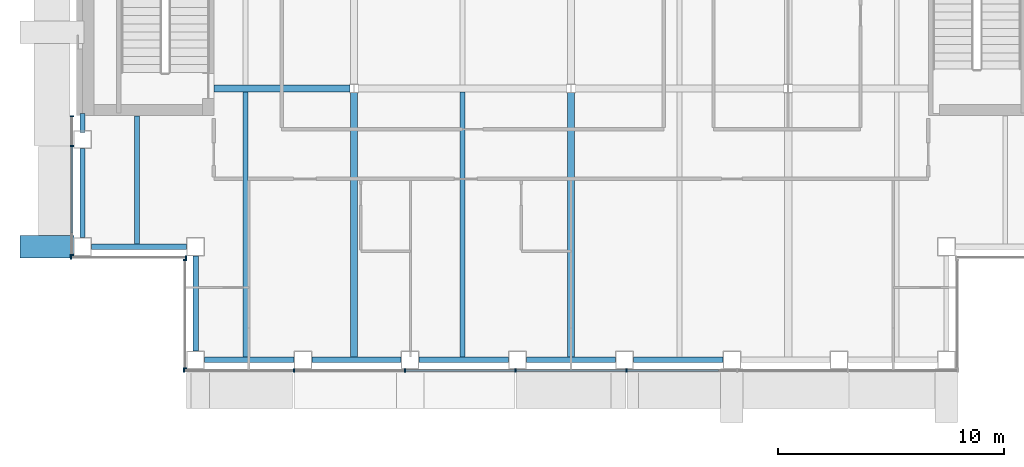
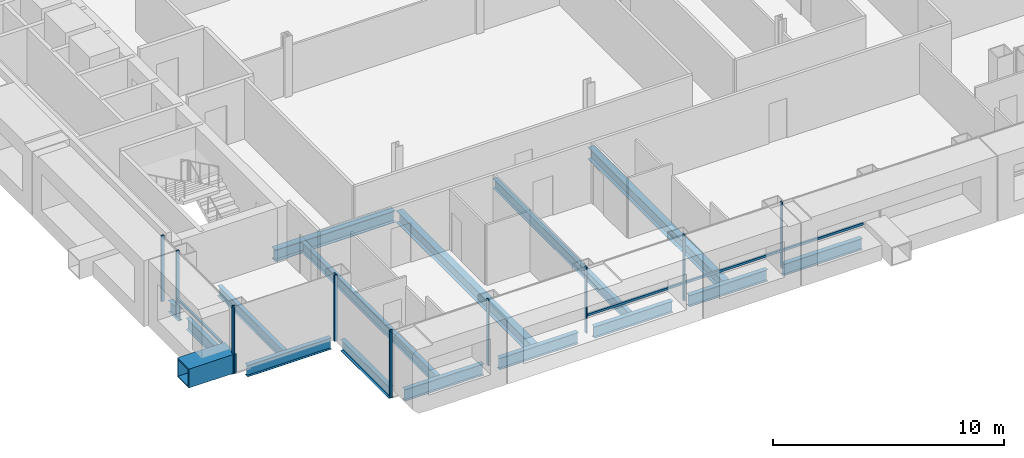
# One storey, part 3 of 21: 16 beams, 16 members, 4 elements without a shape of their own.
"""IFC4 building model written with IfcOpenShell, lengths in metres."""

from ifc_helpers import new_model, si_unit, direction, frame, origin, origin_2d, place, context, subcontext, project, spatial, rectangle, hollow_rectangle, i_section, extrude, material, material_profile, profile_set, type_object, element, aggregate, save


model = new_model("IFC4")

# Units and contexts
model_context = context("Model", 3, precision=1e-05, world=origin(), true_north=direction((0.0, 1.0)))
body_context = subcontext(model_context, "Body", "Model", "MODEL_VIEW")
ifc_project = project(units=[si_unit("LENGTHUNIT", "METRE"), si_unit("AREAUNIT", "SQUARE_METRE"), si_unit("VOLUMEUNIT", "CUBIC_METRE"), si_unit("PLANEANGLEUNIT", "RADIAN"), si_unit("MASSUNIT", "GRAM", prefix="KILO")], contexts=[model_context])

# Site, building, storey
site_placement = place(None, origin())
site = spatial("IfcSite", under=ifc_project, at=site_placement, CompositionType="ELEMENT")
building_placement = place(site_placement, origin())
building = spatial("IfcBuilding", under=site, at=building_placement, Name="Cobrizo Arcos Hotel Tower", CompositionType="ELEMENT")
storey_placement = place(building_placement, frame((0.0, 0.0, 183.0)))
storey = spatial("IfcBuildingStorey", under=building, at=storey_placement, Name="L47", CompositionType="ELEMENT", Elevation=183.0)

# Beam
ifc_material_1 = material(Name="Steel ASTM A572 Grade 50", Category="steel")
ifc_material_profile_1 = material_profile(ifc_material_1, hollow_rectangle(XDim=1.0, YDim=1.0, WallThickness=0.06005859375, at=origin_2d()), Name="BOX 1000X1000X60")
ifc_profile_set_1 = profile_set([ifc_material_profile_1], Name="Steel ASTM A572 Grade 50")
beam_type_1 = type_object("IfcBeamType", Name="BOX 1000X1000X60 brace connector strut", PredefinedType="BEAM", material=ifc_profile_set_1)
beam_1_placement = place(storey_placement, frame((-21.989990234375, -16.60009765625, 0.5), z_axis=(-1.0, 0.0, 0.0), x_axis=(0.0, -1.0, 0.0)))
element("IfcBeam", 1, at=beam_1_placement, inside=storey, type_object=beam_type_1, Name="Perimeter brace stub BS1, zone Z3, west face, offset -16.60 m, L47", PredefinedType="BEAM", context=body_context, shape_type="SweptSolid", body=[
    extrude(hollow_rectangle(XDim=1.0, YDim=1.0, WallThickness=0.06005859375, at=origin_2d()), origin(), (0.0, 0.0, 1.0), 2.380126953125),
])

# Curtain wall, members
ifc_material_2 = material(Name="Aluminium 6063-T6 anodised bronze", Category="aluminium")
curtain_wall_type = type_object("IfcCurtainWallType", Name="CW-A guest facade", PredefinedType="NOTDEFINED", material=ifc_material_2)
curtain_wall_1_placement = place(storey_placement, origin())
curtain_wall_1 = element("IfcCurtainWall", 2, at=curtain_wall_1_placement, inside=storey, type_object=curtain_wall_type, Name="CW-A L47 S face", PredefinedType="NOTDEFINED")
ifc_material_profile_2 = material_profile(ifc_material_2, rectangle(XDim=0.14990234375, YDim=0.06005859375, at=origin_2d()), Name="CW-A mullion 150x60")
ifc_profile_set_2 = profile_set([ifc_material_profile_2], Name="Aluminium 6063-T6 anodised bronze")
member_type_1 = type_object("IfcMemberType", Name="CW-A mullion 150x60", PredefinedType="MULLION", material=ifc_profile_set_2)
member_1_placement = place(storey_placement, frame((-17.1201171875, -22.074951171875, 0.0), z_axis=(0.0, 0.0, 1.0), x_axis=(0.0, -1.0, 0.0)))
member_1 = element("IfcMember", 3, at=member_1_placement, type_object=member_type_1, Name="CW-A mullion 1", PredefinedType="MULLION", context=body_context, shape_type="SweptSolid", body=[
    extrude(rectangle(XDim=0.14990234375, YDim=0.06005859375, at=origin_2d()), origin(), (0.0, 0.0, 1.0), 3.5),
])
member_2_placement = place(storey_placement, frame((-12.25, -22.074951171875, 0.0), z_axis=(0.0, 0.0, 1.0), x_axis=(0.0, -1.0, 0.0)))
member_2 = element("IfcMember", 4, at=member_2_placement, type_object=member_type_1, Name="CW-A mullion 2", PredefinedType="MULLION", context=body_context, shape_type="SweptSolid", body=[
    extrude(rectangle(XDim=0.14990234375, YDim=0.06005859375, at=origin_2d()), origin(), (0.0, 0.0, 1.0), 3.5),
])
member_3_placement = place(storey_placement, frame((-7.35009765625, -22.074951171875, 0.0), z_axis=(0.0, 0.0, 1.0), x_axis=(0.0, -1.0, 0.0)))
member_3 = element("IfcMember", 5, at=member_3_placement, type_object=member_type_1, Name="CW-A mullion 3", PredefinedType="MULLION", context=body_context, shape_type="SweptSolid", body=[
    extrude(rectangle(XDim=0.14990234375, YDim=0.06005859375, at=origin_2d()), origin(), (0.0, 0.0, 1.0), 3.5),
])
member_4_placement = place(storey_placement, frame((-2.449951171875, -22.074951171875, 0.0), z_axis=(0.0, 0.0, 1.0), x_axis=(0.0, -1.0, 0.0)))
member_4 = element("IfcMember", 6, at=member_4_placement, type_object=member_type_1, Name="CW-A mullion 4", PredefinedType="MULLION", context=body_context, shape_type="SweptSolid", body=[
    extrude(rectangle(XDim=0.14990234375, YDim=0.06005859375, at=origin_2d()), origin(), (0.0, 0.0, 1.0), 3.5),
])
member_5_placement = place(storey_placement, frame((2.449951171875, -22.074951171875, 0.0), z_axis=(0.0, 0.0, 1.0), x_axis=(0.0, -1.0, 0.0)))
member_5 = element("IfcMember", 7, at=member_5_placement, type_object=member_type_1, Name="CW-A mullion 5", PredefinedType="MULLION", context=body_context, shape_type="SweptSolid", body=[
    extrude(rectangle(XDim=0.14990234375, YDim=0.06005859375, at=origin_2d()), origin(), (0.0, 0.0, 1.0), 3.5),
])

curtain_wall_2_placement = place(storey_placement, origin())
curtain_wall_2 = element("IfcCurtainWall", 8, at=curtain_wall_2_placement, inside=storey, type_object=curtain_wall_type, Name="CW-A L47 W face", PredefinedType="NOTDEFINED")
member_6_placement = place(storey_placement, frame((-22.074951171875, -10.830078125, 0.0), z_axis=(0.0, 0.0, 1.0), x_axis=(-1.0, 0.0, 0.0)))
member_6 = element("IfcMember", 9, at=member_6_placement, type_object=member_type_1, Name="CW-A mullion 1", PredefinedType="MULLION", context=body_context, shape_type="SweptSolid", body=[
    extrude(rectangle(XDim=0.14990234375, YDim=0.06005859375, at=origin_2d()), origin(), (0.0, 0.0, 1.0), 3.5),
])
member_7_placement = place(storey_placement, frame((-22.074951171875, -12.142822265625, 0.0), z_axis=(0.0, 0.0, 1.0), x_axis=(-1.0, 0.0, 0.0)))
member_7 = element("IfcMember", 10, at=member_7_placement, type_object=member_type_1, Name="CW-A mullion 2", PredefinedType="MULLION", context=body_context, shape_type="SweptSolid", body=[
    extrude(rectangle(XDim=0.14990234375, YDim=0.06005859375, at=origin_2d()), origin(), (0.0, 0.0, 1.0), 3.5),
])
member_8_placement = place(storey_placement, frame((-22.074951171875, -16.969970703125, 0.0), z_axis=(0.0, 0.0, 1.0), x_axis=(-1.0, 0.0, 0.0)))
member_8 = element("IfcMember", 11, at=member_8_placement, type_object=member_type_1, Name="CW-A mullion 3", PredefinedType="MULLION", context=body_context, shape_type="SweptSolid", body=[
    extrude(rectangle(XDim=0.14990234375, YDim=0.06005859375, at=origin_2d()), origin(), (0.0, 0.0, 1.0), 3.5),
])

curtain_wall_3_placement = place(storey_placement, origin())
curtain_wall_3 = element("IfcCurtainWall", 12, at=curtain_wall_3_placement, inside=storey, type_object=curtain_wall_type, Name="CW-A L47 S face", PredefinedType="NOTDEFINED")
member_9_placement = place(storey_placement, frame((-22.1201171875, -17.074951171875, 0.0), z_axis=(0.0, 0.0, 1.0), x_axis=(0.0, -1.0, 0.0)))
member_9 = element("IfcMember", 13, at=member_9_placement, type_object=member_type_1, Name="CW-A mullion 1", PredefinedType="MULLION", context=body_context, shape_type="SweptSolid", body=[
    extrude(rectangle(XDim=0.14990234375, YDim=0.06005859375, at=origin_2d()), origin(), (0.0, 0.0, 1.0), 3.5),
])
member_10_placement = place(storey_placement, frame((-17.030029296875, -17.074951171875, 0.0), z_axis=(0.0, 0.0, 1.0), x_axis=(0.0, -1.0, 0.0)))
member_10 = element("IfcMember", 14, at=member_10_placement, type_object=member_type_1, Name="CW-A mullion 2", PredefinedType="MULLION", context=body_context, shape_type="SweptSolid", body=[
    extrude(rectangle(XDim=0.14990234375, YDim=0.06005859375, at=origin_2d()), origin(), (0.0, 0.0, 1.0), 3.5),
])
aggregate(curtain_wall_3, [member_9, member_10])

curtain_wall_4_placement = place(storey_placement, origin())
curtain_wall_4 = element("IfcCurtainWall", 15, at=curtain_wall_4_placement, inside=storey, type_object=curtain_wall_type, Name="CW-A L47 W face", PredefinedType="NOTDEFINED")
member_11_placement = place(storey_placement, frame((-17.074951171875, -17.179931640625, 0.0), z_axis=(0.0, 0.0, 1.0), x_axis=(-1.0, 0.0, 0.0)))
member_11 = element("IfcMember", 16, at=member_11_placement, type_object=member_type_1, Name="CW-A mullion 1", PredefinedType="MULLION", context=body_context, shape_type="SweptSolid", body=[
    extrude(rectangle(XDim=0.14990234375, YDim=0.06005859375, at=origin_2d()), origin(), (0.0, 0.0, 1.0), 3.5),
])
member_12_placement = place(storey_placement, frame((-17.074951171875, -21.969970703125, 0.0), z_axis=(0.0, 0.0, 1.0), x_axis=(-1.0, 0.0, 0.0)))
member_12 = element("IfcMember", 17, at=member_12_placement, type_object=member_type_1, Name="CW-A mullion 2", PredefinedType="MULLION", context=body_context, shape_type="SweptSolid", body=[
    extrude(rectangle(XDim=0.14990234375, YDim=0.06005859375, at=origin_2d()), origin(), (0.0, 0.0, 1.0), 3.5),
])
aggregate(curtain_wall_4, [member_11, member_12])

# Member
ifc_material_profile_3 = material_profile(ifc_material_2, rectangle(XDim=0.10009765625, YDim=0.1201171875, at=origin_2d()), Name="CW-A transom 120x100")
ifc_profile_set_3 = profile_set([ifc_material_profile_3], Name="Aluminium 6063-T6 anodised bronze")
member_type_2 = type_object("IfcMemberType", Name="CW-A transom 120x100", PredefinedType="USERDEFINED", material=ifc_profile_set_3)
member_13_placement = place(storey_placement, frame((-7.320068359375, -22.074951171875, 0.929931640625), z_axis=(1.0, 0.0, 0.0), x_axis=(0.0, 1.0, 0.0)))
member_13 = element("IfcMember", 18, at=member_13_placement, type_object=member_type_2, Name="CW-A transom 1638", ObjectType="TRANSOM", PredefinedType="USERDEFINED", context=body_context, shape_type="SweptSolid", body=[
    extrude(rectangle(XDim=0.10009765625, YDim=0.1201171875, at=origin_2d()), origin(), (0.0, 0.0, 1.0), 4.840087890625),
])

member_14_placement = place(storey_placement, frame((-2.419921875, -22.074951171875, 0.929931640625), z_axis=(1.0, 0.0, 0.0), x_axis=(0.0, 1.0, 0.0)))
member_14 = element("IfcMember", 19, at=member_14_placement, type_object=member_type_2, Name="CW-A transom 1639", ObjectType="TRANSOM", PredefinedType="USERDEFINED", context=body_context, shape_type="SweptSolid", body=[
    extrude(rectangle(XDim=0.10009765625, YDim=0.1201171875, at=origin_2d()), origin(), (0.0, 0.0, 1.0), 4.83984375),
])

member_15_placement = place(storey_placement, frame((2.47998046875, -22.074951171875, 0.929931640625), z_axis=(1.0, 0.0, 0.0), x_axis=(0.0, 1.0, 0.0)))
member_15 = element("IfcMember", 20, at=member_15_placement, type_object=member_type_2, Name="CW-A transom 1640", ObjectType="TRANSOM", PredefinedType="USERDEFINED", context=body_context, shape_type="SweptSolid", body=[
    extrude(rectangle(XDim=0.10009765625, YDim=0.1201171875, at=origin_2d()), origin(), (0.0, 0.0, 1.0), 4.034423828125),
])

aggregate(curtain_wall_1, [member_1, member_2, member_3, member_4, member_5, member_13, member_14, member_15])

member_16_placement = place(storey_placement, frame((-22.074951171875, -12.1728515625, 0.929931640625), z_axis=(0.0, -1.0, 0.0), x_axis=(1.0, 0.0, 0.0)))
member_16 = element("IfcMember", 21, at=member_16_placement, type_object=member_type_2, Name="CW-A transom 1663", ObjectType="TRANSOM", PredefinedType="USERDEFINED", context=body_context, shape_type="SweptSolid", body=[
    extrude(rectangle(XDim=0.10009765625, YDim=0.1201171875, at=origin_2d()), origin(), (0.0, 0.0, 1.0), 3.8271484375),
])

aggregate(curtain_wall_2, [member_6, member_7, member_8, member_16])

# Beams
ifc_material_3 = material(Name="Steel ASTM A992 Grade 50", Category="steel")
ifc_material_profile_4 = material_profile(ifc_material_3, i_section(OverallWidth=0.209228515625, OverallDepth=0.533447265625, WebThickness=0.01025390625, FlangeThickness=0.015625, at=origin_2d()), Name="W21X62")
ifc_profile_set_4 = profile_set([ifc_material_profile_4], Name="Steel ASTM A992 Grade 50")
beam_type_2 = type_object("IfcBeamType", Name="W21X62 joist", PredefinedType="JOIST", material=ifc_profile_set_4)
beam_2_placement = place(storey_placement, frame((-19.199951171875, -16.510009765625, -0.416748046875), z_axis=(0.0, 1.0, 0.0), x_axis=(-1.0, 0.0, 0.0)))
element("IfcBeam", 22, at=beam_2_placement, inside=storey, type_object=beam_type_2, Name="Floor joist J1, L47, no. 001", PredefinedType="JOIST", context=body_context, shape_type="SweptSolid", body=[
    extrude(i_section(OverallWidth=0.209228515625, OverallDepth=0.533447265625, WebThickness=0.01025390625, FlangeThickness=0.015625, at=origin_2d()), origin(), (0.0, 0.0, 1.0), 5.699951171875),
])
for number, where, z_axis, x_axis, name in (
    (23, (-14.39990234375, -21.510009765625, -0.416748046875), (0.0, 1.0, 0.0), (-1.0, 0.0, 0.0), "Floor joist J1, L47, no. 003"),
    (24, (-4.800048828125, -21.510009765625, -0.416748046875), (0.0, 1.0, 0.0), (-1.0, 0.0, 0.0), "Floor joist J1, L47, no. 007"),
):
    element("IfcBeam", number, at=place(storey_placement, frame(where, z_axis=z_axis, x_axis=x_axis)), inside=storey, type_object=beam_type_2, Name=name, PredefinedType="JOIST", context=body_context, shape_type="SweptSolid", body=[
        extrude(i_section(OverallWidth=0.209228515625, OverallDepth=0.533447265625, WebThickness=0.01025390625, FlangeThickness=0.015625, at=origin_2d()), origin(), (0.0, 0.0, 1.0), 11.74609375),
    ])
ifc_material_profile_5 = material_profile(ifc_material_3, i_section(OverallWidth=0.32763671875, OverallDepth=0.622314453125, WebThickness=0.015380859375, FlangeThickness=0.0244140625, at=origin_2d()), Name="W24X131")
ifc_profile_set_5 = profile_set([ifc_material_profile_5], Name="Steel ASTM A992 Grade 50")
beam_type_3 = type_object("IfcBeamType", Name="W24X131 girder", PredefinedType="BEAM", material=ifc_profile_set_5)
beam_3_placement = place(storey_placement, frame((-15.7900390625, -9.60009765625, -0.461181640625), z_axis=(1.0, 0.0, 0.0), x_axis=(0.0, 1.0, 0.0)))
element("IfcBeam", 25, at=beam_3_placement, inside=storey, type_object=beam_type_3, Name="Floor girder G1, L47, no. 001", PredefinedType="BEAM", context=body_context, shape_type="SweptSolid", body=[
    extrude(i_section(OverallWidth=0.32763671875, OverallDepth=0.622314453125, WebThickness=0.015380859375, FlangeThickness=0.0244140625, at=origin_2d()), origin(), (0.0, 0.0, 1.0), 6.00341796875),
])
for number, where, z_axis, x_axis, name in (
    (26, (-9.60009765625, -21.510009765625, -0.461181640625), (0.0, 1.0, 0.0), (-1.0, 0.0, 0.0), "Floor girder G1, L47, no. 013"),
    (27, (0.0, -21.510009765625, -0.461181640625), (0.0, 1.0, 0.0), (-1.0, 0.0, 0.0), "Floor girder G1, L47, no. 017"),
):
    element("IfcBeam", number, at=place(storey_placement, frame(where, z_axis=z_axis, x_axis=x_axis)), inside=storey, type_object=beam_type_3, Name=name, PredefinedType="BEAM", context=body_context, shape_type="SweptSolid", body=[
        extrude(i_section(OverallWidth=0.32763671875, OverallDepth=0.622314453125, WebThickness=0.015380859375, FlangeThickness=0.0244140625, at=origin_2d()), origin(), (0.0, 0.0, 1.0), 11.723388671875),
    ])
ifc_material_profile_6 = material_profile(ifc_material_3, i_section(OverallWidth=0.228271484375, OverallDepth=0.607177734375, WebThickness=0.01123046875, FlangeThickness=0.017333984375, at=origin_2d()), Name="W24X76")
ifc_profile_set_6 = profile_set([ifc_material_profile_6], Name="Steel ASTM A992 Grade 50")
beam_type_4 = type_object("IfcBeamType", Name="W24X76 spandrel", PredefinedType="SPANDREL", material=ifc_profile_set_6)
beam_4_placement = place(storey_placement, frame((-16.199951171875, -21.60009765625, -0.45361328125), z_axis=(1.0, 0.0, 0.0), x_axis=(0.0, 1.0, 0.0)))
element("IfcBeam", 28, at=beam_4_placement, inside=storey, type_object=beam_type_4, Name="Spandrel beam W24X76, L47, no. 001", PredefinedType="SPANDREL", context=body_context, shape_type="SweptSolid", body=[
    extrude(i_section(OverallWidth=0.228271484375, OverallDepth=0.607177734375, WebThickness=0.01123046875, FlangeThickness=0.017333984375, at=origin_2d()), origin(), (0.0, 0.0, 1.0), 3.94287109375),
])
for number, where, z_axis, x_axis, name in (
    (29, (-11.45703125, -21.60009765625, -0.45361328125), (1.0, 0.0, 0.0), (0.0, 1.0, 0.0), "Spandrel beam W24X76, L47, no. 002"),
    (30, (-6.714111328125, -21.60009765625, -0.45361328125), (1.0, 0.0, 0.0), (0.0, 1.0, 0.0), "Spandrel beam W24X76, L47, no. 003"),
):
    element("IfcBeam", number, at=place(storey_placement, frame(where, z_axis=z_axis, x_axis=x_axis)), inside=storey, type_object=beam_type_4, Name=name, PredefinedType="SPANDREL", context=body_context, shape_type="SweptSolid", body=[
        extrude(i_section(OverallWidth=0.228271484375, OverallDepth=0.607177734375, WebThickness=0.01123046875, FlangeThickness=0.017333984375, at=origin_2d()), origin(), (0.0, 0.0, 1.0), 3.943115234375),
    ])
beam_5_placement = place(storey_placement, frame((-1.970947265625, -21.60009765625, -0.45361328125), z_axis=(1.0, 0.0, 0.0), x_axis=(0.0, 1.0, 0.0)))
element("IfcBeam", 31, at=beam_5_placement, inside=storey, type_object=beam_type_4, Name="Spandrel beam W24X76, L47, no. 004", PredefinedType="SPANDREL", context=body_context, shape_type="SweptSolid", body=[
    extrude(i_section(OverallWidth=0.228271484375, OverallDepth=0.607177734375, WebThickness=0.01123046875, FlangeThickness=0.017333984375, at=origin_2d()), origin(), (0.0, 0.0, 1.0), 3.94189453125),
])
beam_6_placement = place(storey_placement, frame((2.77099609375, -21.60009765625, -0.45361328125), z_axis=(1.0, 0.0, 0.0), x_axis=(0.0, 1.0, 0.0)))
element("IfcBeam", 32, at=beam_6_placement, inside=storey, type_object=beam_type_4, Name="Spandrel beam W24X76, L47, no. 005", PredefinedType="SPANDREL", context=body_context, shape_type="SweptSolid", body=[
    extrude(i_section(OverallWidth=0.228271484375, OverallDepth=0.607177734375, WebThickness=0.01123046875, FlangeThickness=0.017333984375, at=origin_2d()), origin(), (0.0, 0.0, 1.0), 3.943115234375),
])
beam_7_placement = place(storey_placement, frame((-21.60009765625, -10.7099609375, -0.45361328125), z_axis=(0.0, -1.0, 0.0), x_axis=(1.0, 0.0, 0.0)))
element("IfcBeam", 33, at=beam_7_placement, inside=storey, type_object=beam_type_4, Name="Spandrel beam W24X76, L47, no. 027", PredefinedType="SPANDREL", context=body_context, shape_type="SweptSolid", body=[
    extrude(i_section(OverallWidth=0.228271484375, OverallDepth=0.607177734375, WebThickness=0.01123046875, FlangeThickness=0.017333984375, at=origin_2d()), origin(), (0.0, 0.0, 1.0), 0.846923828125),
])
beam_8_placement = place(storey_placement, frame((-21.60009765625, -12.257080078125, -0.45361328125), z_axis=(0.0, -1.0, 0.0), x_axis=(1.0, 0.0, 0.0)))
element("IfcBeam", 34, at=beam_8_placement, inside=storey, type_object=beam_type_4, Name="Spandrel beam W24X76, L47, no. 028", PredefinedType="SPANDREL", context=body_context, shape_type="SweptSolid", body=[
    extrude(i_section(OverallWidth=0.228271484375, OverallDepth=0.607177734375, WebThickness=0.01123046875, FlangeThickness=0.017333984375, at=origin_2d()), origin(), (0.0, 0.0, 1.0), 3.94287109375),
])
for number, where, z_axis, x_axis, name in (
    (35, (-21.199951171875, -16.60009765625, -0.45361328125), (1.0, 0.0, 0.0), (0.0, 1.0, 0.0), "Spandrel beam W24X76, L47, no. 029"),
    (36, (-16.60009765625, -17.0, -0.45361328125), (0.0, -1.0, 0.0), (1.0, 0.0, 0.0), "Spandrel beam W24X76, L47, no. 030"),
):
    element("IfcBeam", number, at=place(storey_placement, frame(where, z_axis=z_axis, x_axis=x_axis)), inside=storey, type_object=beam_type_4, Name=name, PredefinedType="SPANDREL", context=body_context, shape_type="SweptSolid", body=[
        extrude(i_section(OverallWidth=0.228271484375, OverallDepth=0.607177734375, WebThickness=0.01123046875, FlangeThickness=0.017333984375, at=origin_2d()), origin(), (0.0, 0.0, 1.0), 4.199951171875),
    ])

save(model, "model.ifc")
